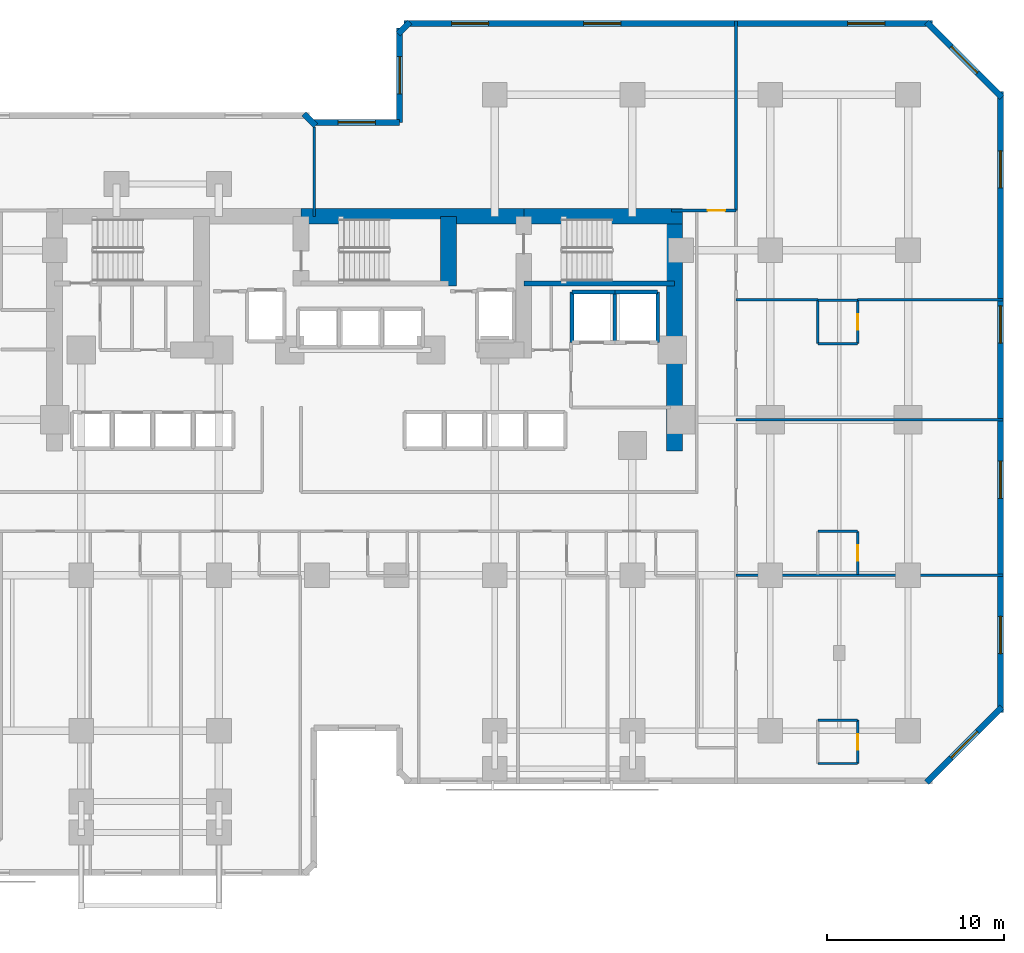
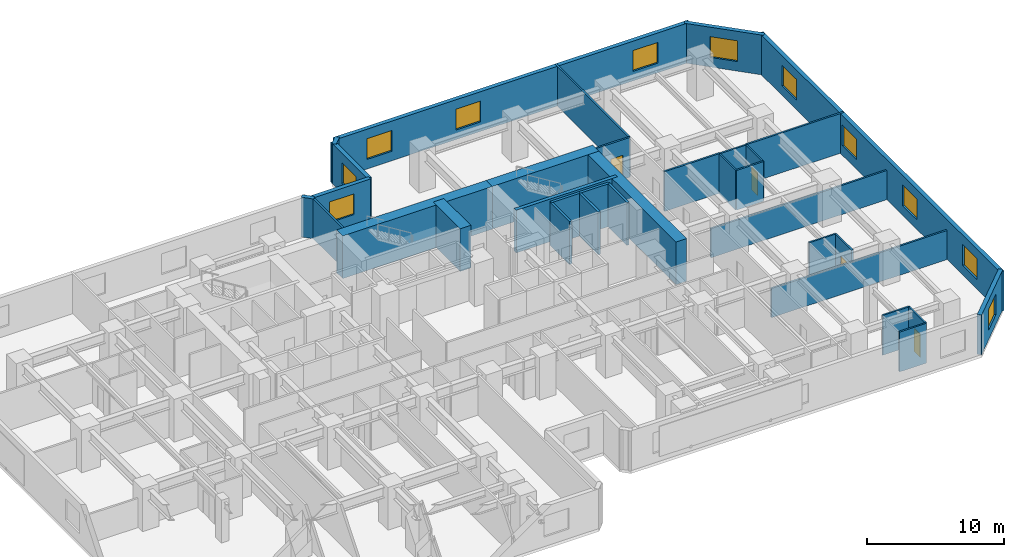
# One storey, part 9 of 12: 34 walls, 11 windows, 4 doors, 15 openings.
"""IFC4 building model written with IfcOpenShell, lengths in metres."""

from ifc_helpers import new_model, si_unit, direction, frame, frame_2d, origin, place, context, subcontext, project, spatial, rectangle, extrude, material, layer, layer_set, type_object, element, fill, save


model = new_model("IFC4")

# Units and contexts
model_context = context("Model", 3, precision=1e-05, world=origin(), true_north=direction((0.0, 1.0)))
body_context = subcontext(model_context, "Body", "Model", "MODEL_VIEW")
ifc_project = project(units=[si_unit("LENGTHUNIT", "METRE"), si_unit("AREAUNIT", "SQUARE_METRE"), si_unit("VOLUMEUNIT", "CUBIC_METRE"), si_unit("PLANEANGLEUNIT", "RADIAN"), si_unit("MASSUNIT", "GRAM", prefix="KILO")], contexts=[model_context])

# Site, building, storey
site_placement = place(None, origin())
site = spatial("IfcSite", under=ifc_project, at=site_placement, CompositionType="ELEMENT")
building_placement = place(site_placement, origin())
building = spatial("IfcBuilding", under=site, at=building_placement, Name="Kestravale Grand Hotel", CompositionType="ELEMENT")
storey_placement = place(building_placement, frame((0.0, 0.0, 26.0)))
storey = spatial("IfcBuildingStorey", under=building, at=storey_placement, Name="L05", CompositionType="ELEMENT", Elevation=26.0)

# Walls
ifc_material_1 = material(Name="Concrete f'c 70 MPa", Category="concrete")
ifc_layer_1 = layer(ifc_material_1, 0.89990234375)
ifc_layer_set_1 = layer_set([ifc_layer_1], Name="EW-CORE-900")
wall_type_1 = type_object("IfcWallType", Name="EW-CORE-900", PredefinedType="SHEAR", material=ifc_layer_set_1)
wall_1_placement = place(storey_placement, frame((35.85009765625, 40.320068359375, 0.0), z_axis=(0.0, 0.0, 1.0), x_axis=(1.0, 0.0, 0.0)))
element("IfcWall", 1, at=wall_1_placement, inside=storey, type_object=wall_type_1, Name="L05 core shear wall N2", PredefinedType="SHEAR", context=body_context, shape_type="SweptSolid", body=[
    extrude(rectangle(XDim=12.599853515625, YDim=0.89990234375, at=frame_2d((6.2998046875, 0.0))), origin(), (0.0, 0.0, 1.0), 3.800048828125),
])
wall_2_placement = place(storey_placement, frame((48.449951171875, 40.320068359375, 0.0), z_axis=(0.0, 0.0, 1.0), x_axis=(1.0, 0.0, 0.0)))
element("IfcWall", 2, at=wall_2_placement, inside=storey, type_object=wall_type_1, Name="L05 core shear wall N3", PredefinedType="SHEAR", context=body_context, shape_type="SweptSolid", body=[
    extrude(rectangle(XDim=8.969970703125, YDim=0.89990234375, at=frame_2d((4.48486328125, 0.0))), origin(), (0.0, 0.0, 1.0), 3.800048828125),
])
wall_3_placement = place(storey_placement, frame((56.969970703125, 27.050048828125, 0.0), z_axis=(0.0, 0.0, 1.0), x_axis=(0.0, 1.0, 0.0)))
element("IfcWall", 3, at=wall_3_placement, inside=storey, type_object=wall_type_1, Name="L05 core shear wall E1", PredefinedType="SHEAR", context=body_context, shape_type="SweptSolid", body=[
    extrude(rectangle(XDim=13.719970703125, YDim=0.89990234375, at=frame_2d((6.85986328125, 0.0))), origin(), (0.0, 0.0, 1.0), 3.800048828125),
])
wall_4_placement = place(storey_placement, frame((44.179931640625, 36.3701171875, 0.0), z_axis=(0.0, 0.0, 1.0), x_axis=(0.0, 1.0, 0.0)))
element("IfcWall", 4, at=wall_4_placement, inside=storey, type_object=wall_type_1, Name="L05 core shear wall X3", PredefinedType="SHEAR", context=body_context, shape_type="SweptSolid", body=[
    extrude(rectangle(XDim=3.949951171875, YDim=0.89990234375, at=frame_2d((1.97509765625, 0.0))), origin(), (0.0, 0.0, 1.0), 3.800048828125),
])

# Wall, opening, window
ifc_material_2 = material(Name="Precast concrete f'c 45 MPa", Category="concrete")
ifc_layer_2 = layer(ifc_material_2, 0.340087890625)
ifc_layer_set_2 = layer_set([ifc_layer_2], Name="EW-PREC-340")
wall_type_2 = type_object("IfcWallType", Name="EW-PREC-340", PredefinedType="SOLIDWALL", material=ifc_layer_set_2)
wall_5_placement = place(storey_placement, frame((71.25146484375, 8.2919921875, 0.0), z_axis=(0.0, 0.0, 1.0), x_axis=(0.707106781187, 0.707106781187, 0.0)))
wall_5 = element("IfcWall", 5, at=wall_5_placement, inside=storey, type_object=wall_type_2, Name="L05 fluted precast facade wall 8", PredefinedType="SOLIDWALL", context=body_context, shape_type="SweptSolid", body=[
    extrude(rectangle(XDim=6.019775390625, YDim=0.340087890625, at=frame_2d((3.009765625, 0.0))), origin(), (0.0, 0.0, 1.0), 3.5400390625),
])
opening_1_placement = place(wall_5_placement, frame((1.9599609375, 0.0, 0.85009765625)))
opening_1 = element("IfcOpeningElement", 6, at=opening_1_placement, cuts=wall_5, Name="Opening W-GUEST-2100", PredefinedType="OPENING", context=body_context, shape_type="SweptSolid", body=[
    extrude(rectangle(XDim=2.10009765625, YDim=1.85009765625, at=frame_2d((1.050048828125, 0.925048828125))), frame((0.0, 0.179931640625, 0.0), z_axis=(0.0, -1.0, 0.0), x_axis=(1.0, 0.0, 0.0)), (0.0, 0.0, 1.0), 0.360107421875),
])
ifc_material_3 = material(Name="Insulated low-E double glazing in aluminium frame", Category="aluminium")
window_type = type_object("IfcWindowType", Name="W-GUEST-2100", PartitioningType="DOUBLE_PANEL_VERTICAL", PredefinedType="WINDOW", material=ifc_material_3)
window_1_placement = place(opening_1_placement, origin())
window_1 = element("IfcWindow", 7, at=window_1_placement, inside=storey, type_object=window_type, Name="L05 exterior window 8.1", OverallHeight=1.85009765625, OverallWidth=2.10009765625, PartitioningType="SINGLE_PANEL", PredefinedType="WINDOW", context=body_context, shape_type="SweptSolid", body=[
    extrude(rectangle(XDim=2.10009765625, YDim=1.85009765625, at=frame_2d((1.050048828125, 0.925048828125))), frame((0.0, 0.030029296875, 0.0), z_axis=(0.0, -1.0, 0.0), x_axis=(1.0, 0.0, 0.0)), (0.0, 0.0, 1.0), 0.06005859375),
])
fill(opening_1, window_1)

# Wall, openings, windows
wall_6_placement = place(storey_placement, frame((75.429931640625, 12.22998046875, 0.0), z_axis=(0.0, 0.0, 1.0), x_axis=(0.0, 1.0, 0.0)))
wall_6 = element("IfcWall", 8, at=wall_6_placement, inside=storey, type_object=wall_type_2, Name="L05 fluted precast facade wall 9", PredefinedType="SOLIDWALL", context=body_context, shape_type="SweptSolid", body=[
    extrude(rectangle(XDim=35.14013671875, YDim=0.340087890625, at=frame_2d((17.570068359375, 0.0))), origin(), (0.0, 0.0, 1.0), 3.5400390625),
])
opening_2_placement = place(wall_6_placement, frame((3.342529296875, 0.0, 0.85009765625)))
opening_2 = element("IfcOpeningElement", 9, at=opening_2_placement, cuts=wall_6, Name="Opening W-GUEST-2100", PredefinedType="OPENING", context=body_context, shape_type="SweptSolid", body=[
    extrude(rectangle(XDim=2.10009765625, YDim=1.85009765625, at=frame_2d((1.050048828125, 0.925048828125))), frame((0.0, 0.179931640625, 0.0), z_axis=(0.0, -1.0, 0.0), x_axis=(1.0, 0.0, 0.0)), (0.0, 0.0, 1.0), 0.360107421875),
])
opening_3_placement = place(wall_6_placement, frame((12.12744140625, 0.0, 0.85009765625)))
opening_3 = element("IfcOpeningElement", 10, at=opening_3_placement, cuts=wall_6, Name="Opening W-GUEST-2100", PredefinedType="OPENING", context=body_context, shape_type="SweptSolid", body=[
    extrude(rectangle(XDim=2.10009765625, YDim=1.85009765625, at=frame_2d((1.050048828125, 0.925048828125))), frame((0.0, 0.179931640625, 0.0), z_axis=(0.0, -1.0, 0.0), x_axis=(1.0, 0.0, 0.0)), (0.0, 0.0, 1.0), 0.360107421875),
])
opening_4_placement = place(wall_6_placement, frame((20.91259765625, 0.0, 0.85009765625)))
opening_4 = element("IfcOpeningElement", 11, at=opening_4_placement, cuts=wall_6, Name="Opening W-GUEST-2100", PredefinedType="OPENING", context=body_context, shape_type="SweptSolid", body=[
    extrude(rectangle(XDim=2.10009765625, YDim=1.85009765625, at=frame_2d((1.050048828125, 0.925048828125))), frame((0.0, 0.179931640625, 0.0), z_axis=(0.0, -1.0, 0.0), x_axis=(1.0, 0.0, 0.0)), (0.0, 0.0, 1.0), 0.360107421875),
])
opening_5_placement = place(wall_6_placement, frame((29.697509765625, 0.0, 0.85009765625)))
opening_5 = element("IfcOpeningElement", 12, at=opening_5_placement, cuts=wall_6, Name="Opening W-GUEST-2100", PredefinedType="OPENING", context=body_context, shape_type="SweptSolid", body=[
    extrude(rectangle(XDim=2.10009765625, YDim=1.85009765625, at=frame_2d((1.050048828125, 0.925048828125))), frame((0.0, 0.179931640625, 0.0), z_axis=(0.0, -1.0, 0.0), x_axis=(1.0, 0.0, 0.0)), (0.0, 0.0, 1.0), 0.360107421875),
])
window_2_placement = place(opening_2_placement, origin())
window_2 = element("IfcWindow", 13, at=window_2_placement, inside=storey, type_object=window_type, Name="L05 exterior window 9.1", OverallHeight=1.85009765625, OverallWidth=2.10009765625, PartitioningType="SINGLE_PANEL", PredefinedType="WINDOW", context=body_context, shape_type="SweptSolid", body=[
    extrude(rectangle(XDim=2.10009765625, YDim=1.85009765625, at=frame_2d((1.050048828125, 0.925048828125))), frame((0.0, 0.030029296875, 0.0), z_axis=(0.0, -1.0, 0.0), x_axis=(1.0, 0.0, 0.0)), (0.0, 0.0, 1.0), 0.06005859375),
])
fill(opening_2, window_2)
window_3_placement = place(opening_3_placement, origin())
window_3 = element("IfcWindow", 14, at=window_3_placement, inside=storey, type_object=window_type, Name="L05 exterior window 9.2", OverallHeight=1.85009765625, OverallWidth=2.10009765625, PartitioningType="SINGLE_PANEL", PredefinedType="WINDOW", context=body_context, shape_type="SweptSolid", body=[
    extrude(rectangle(XDim=2.10009765625, YDim=1.85009765625, at=frame_2d((1.050048828125, 0.925048828125))), frame((0.0, 0.030029296875, 0.0), z_axis=(0.0, -1.0, 0.0), x_axis=(1.0, 0.0, 0.0)), (0.0, 0.0, 1.0), 0.06005859375),
])
fill(opening_3, window_3)
window_4_placement = place(opening_4_placement, origin())
window_4 = element("IfcWindow", 15, at=window_4_placement, inside=storey, type_object=window_type, Name="L05 exterior window 9.3", OverallHeight=1.85009765625, OverallWidth=2.10009765625, PartitioningType="SINGLE_PANEL", PredefinedType="WINDOW", context=body_context, shape_type="SweptSolid", body=[
    extrude(rectangle(XDim=2.10009765625, YDim=1.85009765625, at=frame_2d((1.050048828125, 0.925048828125))), frame((0.0, 0.030029296875, 0.0), z_axis=(0.0, -1.0, 0.0), x_axis=(1.0, 0.0, 0.0)), (0.0, 0.0, 1.0), 0.06005859375),
])
fill(opening_4, window_4)
window_5_placement = place(opening_5_placement, origin())
window_5 = element("IfcWindow", 16, at=window_5_placement, inside=storey, type_object=window_type, Name="L05 exterior window 9.4", OverallHeight=1.85009765625, OverallWidth=2.10009765625, PartitioningType="SINGLE_PANEL", PredefinedType="WINDOW", context=body_context, shape_type="SweptSolid", body=[
    extrude(rectangle(XDim=2.10009765625, YDim=1.85009765625, at=frame_2d((1.050048828125, 0.925048828125))), frame((0.0, 0.030029296875, 0.0), z_axis=(0.0, -1.0, 0.0), x_axis=(1.0, 0.0, 0.0)), (0.0, 0.0, 1.0), 0.06005859375),
])
fill(opening_5, window_5)

# Wall, opening, window
wall_7_placement = place(storey_placement, frame((75.508056640625, 47.051513671875, 0.0), z_axis=(0.0, 0.0, 1.0), x_axis=(-0.707106781187, 0.707106781187, 0.0)))
wall_7 = element("IfcWall", 17, at=wall_7_placement, inside=storey, type_object=wall_type_2, Name="L05 fluted precast facade wall 10", PredefinedType="SOLIDWALL", context=body_context, shape_type="SweptSolid", body=[
    extrude(rectangle(XDim=6.019775390625, YDim=0.340087890625, at=frame_2d((3.009765625, 0.0))), origin(), (0.0, 0.0, 1.0), 3.5400390625),
])
opening_6_placement = place(wall_7_placement, frame((1.9599609375, 0.0, 0.85009765625)))
opening_6 = element("IfcOpeningElement", 18, at=opening_6_placement, cuts=wall_7, Name="Opening W-GUEST-2100", PredefinedType="OPENING", context=body_context, shape_type="SweptSolid", body=[
    extrude(rectangle(XDim=2.10009765625, YDim=1.85009765625, at=frame_2d((1.050048828125, 0.925048828125))), frame((0.0, 0.179931640625, 0.0), z_axis=(0.0, -1.0, 0.0), x_axis=(1.0, 0.0, 0.0)), (0.0, 0.0, 1.0), 0.360107421875),
])
window_6_placement = place(opening_6_placement, origin())
window_6 = element("IfcWindow", 19, at=window_6_placement, inside=storey, type_object=window_type, Name="L05 exterior window 10.1", OverallHeight=1.85009765625, OverallWidth=2.10009765625, PartitioningType="SINGLE_PANEL", PredefinedType="WINDOW", context=body_context, shape_type="SweptSolid", body=[
    extrude(rectangle(XDim=2.10009765625, YDim=1.85009765625, at=frame_2d((1.050048828125, 0.925048828125))), frame((0.0, 0.030029296875, 0.0), z_axis=(0.0, -1.0, 0.0), x_axis=(1.0, 0.0, 0.0)), (0.0, 0.0, 1.0), 0.06005859375),
])
fill(opening_6, window_6)

# Wall, openings, windows
wall_8_placement = place(storey_placement, frame((71.570068359375, 51.22998046875, 0.0), z_axis=(0.0, 0.0, 1.0), x_axis=(-1.0, 0.0, 0.0)))
wall_8 = element("IfcWall", 20, at=wall_8_placement, inside=storey, type_object=wall_type_2, Name="L05 fluted precast facade wall 11", PredefinedType="SOLIDWALL", context=body_context, shape_type="SweptSolid", body=[
    extrude(rectangle(XDim=29.89013671875, YDim=0.340087890625, at=frame_2d((14.945068359375, 0.0))), origin(), (0.0, 0.0, 1.0), 3.5400390625),
])
opening_7_placement = place(wall_8_placement, frame((2.686279296875, 0.0, 0.85009765625)))
opening_7 = element("IfcOpeningElement", 21, at=opening_7_placement, cuts=wall_8, Name="Opening W-GUEST-2100", PredefinedType="OPENING", context=body_context, shape_type="SweptSolid", body=[
    extrude(rectangle(XDim=2.10009765625, YDim=1.85009765625, at=frame_2d((1.050048828125, 0.925048828125))), frame((0.0, 0.179931640625, 0.0), z_axis=(0.0, -1.0, 0.0), x_axis=(1.0, 0.0, 0.0)), (0.0, 0.0, 1.0), 0.360107421875),
])
opening_8_placement = place(wall_8_placement, frame((17.631103515625, 0.0, 0.85009765625)))
opening_8 = element("IfcOpeningElement", 22, at=opening_8_placement, cuts=wall_8, Name="Opening W-GUEST-2100", PredefinedType="OPENING", context=body_context, shape_type="SweptSolid", body=[
    extrude(rectangle(XDim=2.10009765625, YDim=1.85009765625, at=frame_2d((1.050048828125, 0.925048828125))), frame((0.0, 0.179931640625, 0.0), z_axis=(0.0, -1.0, 0.0), x_axis=(1.0, 0.0, 0.0)), (0.0, 0.0, 1.0), 0.360107421875),
])
opening_9_placement = place(wall_8_placement, frame((25.103759765625, 0.0, 0.85009765625)))
opening_9 = element("IfcOpeningElement", 23, at=opening_9_placement, cuts=wall_8, Name="Opening W-GUEST-2100", PredefinedType="OPENING", context=body_context, shape_type="SweptSolid", body=[
    extrude(rectangle(XDim=2.10009765625, YDim=1.85009765625, at=frame_2d((1.050048828125, 0.925048828125))), frame((0.0, 0.179931640625, 0.0), z_axis=(0.0, -1.0, 0.0), x_axis=(1.0, 0.0, 0.0)), (0.0, 0.0, 1.0), 0.360107421875),
])
window_7_placement = place(opening_7_placement, origin())
window_7 = element("IfcWindow", 24, at=window_7_placement, inside=storey, type_object=window_type, Name="L05 exterior window 11.1", OverallHeight=1.85009765625, OverallWidth=2.10009765625, PartitioningType="SINGLE_PANEL", PredefinedType="WINDOW", context=body_context, shape_type="SweptSolid", body=[
    extrude(rectangle(XDim=2.10009765625, YDim=1.85009765625, at=frame_2d((1.050048828125, 0.925048828125))), frame((0.0, 0.030029296875, 0.0), z_axis=(0.0, -1.0, 0.0), x_axis=(1.0, 0.0, 0.0)), (0.0, 0.0, 1.0), 0.06005859375),
])
fill(opening_7, window_7)
window_8_placement = place(opening_8_placement, origin())
window_8 = element("IfcWindow", 25, at=window_8_placement, inside=storey, type_object=window_type, Name="L05 exterior window 11.2", OverallHeight=1.85009765625, OverallWidth=2.10009765625, PartitioningType="SINGLE_PANEL", PredefinedType="WINDOW", context=body_context, shape_type="SweptSolid", body=[
    extrude(rectangle(XDim=2.10009765625, YDim=1.85009765625, at=frame_2d((1.050048828125, 0.925048828125))), frame((0.0, 0.030029296875, 0.0), z_axis=(0.0, -1.0, 0.0), x_axis=(1.0, 0.0, 0.0)), (0.0, 0.0, 1.0), 0.06005859375),
])
fill(opening_8, window_8)
window_9_placement = place(opening_9_placement, origin())
window_9 = element("IfcWindow", 26, at=window_9_placement, inside=storey, type_object=window_type, Name="L05 exterior window 11.3", OverallHeight=1.85009765625, OverallWidth=2.10009765625, PartitioningType="SINGLE_PANEL", PredefinedType="WINDOW", context=body_context, shape_type="SweptSolid", body=[
    extrude(rectangle(XDim=2.10009765625, YDim=1.85009765625, at=frame_2d((1.050048828125, 0.925048828125))), frame((0.0, 0.030029296875, 0.0), z_axis=(0.0, -1.0, 0.0), x_axis=(1.0, 0.0, 0.0)), (0.0, 0.0, 1.0), 0.06005859375),
])
fill(opening_9, window_9)

# Wall
wall_9_placement = place(storey_placement, frame((41.99853515625, 51.30810546875, 0.0), z_axis=(0.0, 0.0, 1.0), x_axis=(-0.707238225886, -0.706975312048, 0.0)))
element("IfcWall", 27, at=wall_9_placement, inside=storey, type_object=wall_type_2, Name="L05 fluted precast facade wall 12", PredefinedType="SOLIDWALL", context=body_context, shape_type="SweptSolid", body=[
    extrude(rectangle(XDim=0.9287109375, YDim=0.340087890625, at=frame_2d((0.46435546875, 0.0))), origin(), (0.0, 0.0, 1.0), 3.5400390625),
])

# Wall, opening, window
wall_10_placement = place(storey_placement, frame((41.419921875, 50.969970703125, 0.0), z_axis=(0.0, 0.0, 1.0), x_axis=(0.0, -1.0, 0.0)))
wall_10 = element("IfcWall", 28, at=wall_10_placement, inside=storey, type_object=wall_type_2, Name="L05 fluted precast facade wall 13", PredefinedType="SOLIDWALL", context=body_context, shape_type="SweptSolid", body=[
    extrude(rectangle(XDim=5.340087890625, YDim=0.340087890625, at=frame_2d((2.669921875, 0.0))), origin(), (0.0, 0.0, 1.0), 3.5400390625),
])
opening_10_placement = place(wall_10_placement, frame((1.6201171875, 0.0, 0.85009765625)))
opening_10 = element("IfcOpeningElement", 29, at=opening_10_placement, cuts=wall_10, Name="Opening W-GUEST-2100", PredefinedType="OPENING", context=body_context, shape_type="SweptSolid", body=[
    extrude(rectangle(XDim=2.10009765625, YDim=1.85009765625, at=frame_2d((1.050048828125, 0.925048828125))), frame((0.0, 0.179931640625, 0.0), z_axis=(0.0, -1.0, 0.0), x_axis=(1.0, 0.0, 0.0)), (0.0, 0.0, 1.0), 0.360107421875),
])
window_10_placement = place(opening_10_placement, origin())
window_10 = element("IfcWindow", 30, at=window_10_placement, inside=storey, type_object=window_type, Name="L05 exterior window 13.1", OverallHeight=1.85009765625, OverallWidth=2.10009765625, PartitioningType="SINGLE_PANEL", PredefinedType="WINDOW", context=body_context, shape_type="SweptSolid", body=[
    extrude(rectangle(XDim=2.10009765625, YDim=1.85009765625, at=frame_2d((1.050048828125, 0.925048828125))), frame((0.0, 0.030029296875, 0.0), z_axis=(0.0, -1.0, 0.0), x_axis=(1.0, 0.0, 0.0)), (0.0, 0.0, 1.0), 0.06005859375),
])
fill(opening_10, window_10)

wall_11_placement = place(storey_placement, frame((41.419921875, 45.6298828125, 0.0), z_axis=(0.0, 0.0, 1.0), x_axis=(-1.0, 0.0, 0.0)))
wall_11 = element("IfcWall", 31, at=wall_11_placement, inside=storey, type_object=wall_type_2, Name="L05 fluted precast facade wall 14", PredefinedType="SOLIDWALL", context=body_context, shape_type="SweptSolid", body=[
    extrude(rectangle(XDim=4.83984375, YDim=0.340087890625, at=frame_2d((2.419921875, 0.0))), origin(), (0.0, 0.0, 1.0), 3.5400390625),
])
opening_11_placement = place(wall_11_placement, frame((1.3701171875, 0.0, 0.85009765625)))
opening_11 = element("IfcOpeningElement", 32, at=opening_11_placement, cuts=wall_11, Name="Opening W-GUEST-2100", PredefinedType="OPENING", context=body_context, shape_type="SweptSolid", body=[
    extrude(rectangle(XDim=2.10009765625, YDim=1.85009765625, at=frame_2d((1.050048828125, 0.925048828125))), frame((0.0, 0.179931640625, 0.0), z_axis=(0.0, -1.0, 0.0), x_axis=(1.0, 0.0, 0.0)), (0.0, 0.0, 1.0), 0.360107421875),
])
window_11_placement = place(opening_11_placement, origin())
window_11 = element("IfcWindow", 33, at=window_11_placement, inside=storey, type_object=window_type, Name="L05 exterior window 14.1", OverallHeight=1.85009765625, OverallWidth=2.10009765625, PartitioningType="SINGLE_PANEL", PredefinedType="WINDOW", context=body_context, shape_type="SweptSolid", body=[
    extrude(rectangle(XDim=2.10009765625, YDim=1.85009765625, at=frame_2d((1.050048828125, 0.925048828125))), frame((0.0, 0.030029296875, 0.0), z_axis=(0.0, -1.0, 0.0), x_axis=(1.0, 0.0, 0.0)), (0.0, 0.0, 1.0), 0.06005859375),
])
fill(opening_11, window_11)

# Walls
wall_12_placement = place(storey_placement, frame((36.658203125, 45.451416015625, 0.0), z_axis=(0.0, 0.0, 1.0), x_axis=(-0.707106781187, 0.707106781187, 0.0)))
element("IfcWall", 34, at=wall_12_placement, inside=storey, type_object=wall_type_2, Name="L05 fluted precast facade wall 16", PredefinedType="SOLIDWALL", context=body_context, shape_type="SweptSolid", body=[
    extrude(rectangle(XDim=0.9287109375, YDim=0.340087890625, at=frame_2d((0.46435546875, 0.0))), origin(), (0.0, 0.0, 1.0), 3.5400390625),
])
ifc_material_4 = material(Name="Concrete f'c 45 MPa", Category="concrete")
ifc_layer_3 = layer(ifc_material_4, 0.300048828125)
ifc_layer_set_3 = layer_set([ifc_layer_3], Name="EW-STAIR-300")
wall_type_3 = type_object("IfcWallType", Name="EW-STAIR-300", PredefinedType="SHEAR", material=ifc_layer_set_3)
wall_13_placement = place(storey_placement, frame((48.449951171875, 36.52001953125, 0.0), z_axis=(0.0, 0.0, 1.0), x_axis=(1.0, 0.0, 0.0)))
element("IfcWall", 35, at=wall_13_placement, inside=storey, type_object=wall_type_3, Name="L05 stair enclosure shear wall SST3", PredefinedType="SHEAR", context=body_context, shape_type="SweptSolid", body=[
    extrude(rectangle(XDim=8.52001953125, YDim=0.300048828125, at=frame_2d((4.260009765625, 0.0))), origin(), (0.0, 0.0, 1.0), 3.800048828125),
])

# Wall, opening, door
ifc_material_5 = material(Name="Moisture-resistant tile-backer plumbing chase wall", Category="other")
ifc_layer_4 = layer(ifc_material_5, 0.139892578125)
ifc_layer_set_4 = layer_set([ifc_layer_4], Name="IW-PLB-140")
wall_type_4 = type_object("IfcWallType", Name="IW-PLB-140", PredefinedType="PLUMBINGWALL", material=ifc_layer_set_4)
wall_14_placement = place(storey_placement, frame((67.35009765625, 9.35009765625, 0.0), z_axis=(0.0, 0.0, 1.0), x_axis=(0.0, 1.0, 0.0)))
wall_14 = element("IfcWall", 36, at=wall_14_placement, inside=storey, type_object=wall_type_4, Name="W-L05-U10-BE", PredefinedType="PLUMBINGWALL", context=body_context, shape_type="SweptSolid", body=[
    extrude(rectangle(XDim=2.449951171875, YDim=0.139892578125, at=frame_2d((1.22509765625, 0.0))), origin(), (0.0, 0.0, 1.0), 3.5400390625),
])
opening_12_placement = place(wall_14_placement, frame((0.784912109375, 0.0, 0.0)))
opening_12 = element("IfcOpeningElement", 37, at=opening_12_placement, cuts=wall_14, Name="Opening D-BATH-880", PredefinedType="OPENING", context=body_context, shape_type="SweptSolid", body=[
    extrude(rectangle(XDim=0.8798828125, YDim=2.050048828125, at=frame_2d((0.43994140625, 1.02490234375))), frame((0.0, 0.079833984375, 0.0), z_axis=(0.0, -1.0, 0.0), x_axis=(1.0, 0.0, 0.0)), (0.0, 0.0, 1.0), 0.159912109375),
])
ifc_material_6 = material(Name="Moisture-sealed walnut en-suite bathroom door", Category="wood")
door_type_1 = type_object("IfcDoorType", Name="D-BATH-880", OperationType="NOTDEFINED", PredefinedType="DOOR", material=ifc_material_6)
door_1_placement = place(opening_12_placement, origin())
door_1 = element("IfcDoor", 38, at=door_1_placement, inside=storey, type_object=door_type_1, Name="D-L05-U10-BATH", OperationType="SINGLE_SWING_RIGHT", OverallHeight=2.050048828125, OverallWidth=0.8798828125, PredefinedType="DOOR", context=body_context, shape_type="SweptSolid", body=[
    extrude(rectangle(XDim=0.8798828125, YDim=2.050048828125, at=frame_2d((0.43994140625, 1.02490234375))), frame((0.0, 0.02490234375, 0.0), z_axis=(0.0, -1.0, 0.0), x_axis=(1.0, 0.0, 0.0)), (0.0, 0.0, 1.0), 0.050048828125),
])
fill(opening_12, door_1)

# Walls
for number, where, z_axis, x_axis, name in (
    (39, (65.10009765625, 9.35009765625, 0.0), (0.0, 0.0, 1.0), (1.0, 0.0, 0.0), "W-L05-U10-BS"),
    (40, (65.10009765625, 11.800048828125, 0.0), (0.0, 0.0, 1.0), (1.0, 0.0, 0.0), "W-L05-U10-BN"),
):
    element("IfcWall", number, at=place(storey_placement, frame(where, z_axis=z_axis, x_axis=x_axis)), inside=storey, type_object=wall_type_4, Name=name, PredefinedType="PLUMBINGWALL", context=body_context, shape_type="SweptSolid", body=[
        extrude(rectangle(XDim=2.25, YDim=0.139892578125, at=frame_2d((1.125, 0.0))), origin(), (0.0, 0.0, 1.0), 3.5400390625),
    ])

# Wall, opening, door
wall_15_placement = place(storey_placement, frame((67.35009765625, 20.0400390625, 0.0), z_axis=(0.0, 0.0, 1.0), x_axis=(0.0, 1.0, 0.0)))
wall_15 = element("IfcWall", 41, at=wall_15_placement, inside=storey, type_object=wall_type_4, Name="W-L05-U11-BE", PredefinedType="PLUMBINGWALL", context=body_context, shape_type="SweptSolid", body=[
    extrude(rectangle(XDim=2.449951171875, YDim=0.139892578125, at=frame_2d((1.22509765625, 0.0))), origin(), (0.0, 0.0, 1.0), 3.5400390625),
])
opening_13_placement = place(wall_15_placement, frame((0.784912109375, 0.0, 0.0)))
opening_13 = element("IfcOpeningElement", 42, at=opening_13_placement, cuts=wall_15, Name="Opening D-BATH-880", PredefinedType="OPENING", context=body_context, shape_type="SweptSolid", body=[
    extrude(rectangle(XDim=0.8798828125, YDim=2.050048828125, at=frame_2d((0.43994140625, 1.02490234375))), frame((0.0, 0.079833984375, 0.0), z_axis=(0.0, -1.0, 0.0), x_axis=(1.0, 0.0, 0.0)), (0.0, 0.0, 1.0), 0.159912109375),
])
door_2_placement = place(opening_13_placement, origin())
door_2 = element("IfcDoor", 43, at=door_2_placement, inside=storey, type_object=door_type_1, Name="D-L05-U11-BATH", OperationType="SINGLE_SWING_RIGHT", OverallHeight=2.050048828125, OverallWidth=0.8798828125, PredefinedType="DOOR", context=body_context, shape_type="SweptSolid", body=[
    extrude(rectangle(XDim=0.8798828125, YDim=2.050048828125, at=frame_2d((0.43994140625, 1.02490234375))), frame((0.0, 0.02490234375, 0.0), z_axis=(0.0, -1.0, 0.0), x_axis=(1.0, 0.0, 0.0)), (0.0, 0.0, 1.0), 0.050048828125),
])
fill(opening_13, door_2)

# Walls
wall_16_placement = place(storey_placement, frame((65.10009765625, 22.489990234375, 0.0), z_axis=(0.0, 0.0, 1.0), x_axis=(1.0, 0.0, 0.0)))
element("IfcWall", 44, at=wall_16_placement, inside=storey, type_object=wall_type_4, Name="W-L05-U11-BN", PredefinedType="PLUMBINGWALL", context=body_context, shape_type="SweptSolid", body=[
    extrude(rectangle(XDim=2.25, YDim=0.139892578125, at=frame_2d((1.125, 0.0))), origin(), (0.0, 0.0, 1.0), 3.5400390625),
])
wall_17_placement = place(storey_placement, frame((65.10009765625, 33.110107421875, 0.0), z_axis=(0.0, 0.0, 1.0), x_axis=(0.0, 1.0, 0.0)))
element("IfcWall", 45, at=wall_17_placement, inside=storey, type_object=wall_type_4, Name="W-L05-U12-BW", PredefinedType="PLUMBINGWALL", context=body_context, shape_type="SweptSolid", body=[
    extrude(rectangle(XDim=2.449951171875, YDim=0.139892578125, at=frame_2d((1.22509765625, 0.0))), origin(), (0.0, 0.0, 1.0), 3.5400390625),
])

# Wall, opening, door
wall_18_placement = place(storey_placement, frame((67.35009765625, 33.110107421875, 0.0), z_axis=(0.0, 0.0, 1.0), x_axis=(0.0, 1.0, 0.0)))
wall_18 = element("IfcWall", 46, at=wall_18_placement, inside=storey, type_object=wall_type_4, Name="W-L05-U12-BE", PredefinedType="PLUMBINGWALL", context=body_context, shape_type="SweptSolid", body=[
    extrude(rectangle(XDim=2.449951171875, YDim=0.139892578125, at=frame_2d((1.22509765625, 0.0))), origin(), (0.0, 0.0, 1.0), 3.5400390625),
])
opening_14_placement = place(wall_18_placement, frame((0.784912109375, 0.0, 0.0)))
opening_14 = element("IfcOpeningElement", 47, at=opening_14_placement, cuts=wall_18, Name="Opening D-BATH-880", PredefinedType="OPENING", context=body_context, shape_type="SweptSolid", body=[
    extrude(rectangle(XDim=0.8798828125, YDim=2.050048828125, at=frame_2d((0.43994140625, 1.02490234375))), frame((0.0, 0.079833984375, 0.0), z_axis=(0.0, -1.0, 0.0), x_axis=(1.0, 0.0, 0.0)), (0.0, 0.0, 1.0), 0.159912109375),
])
door_3_placement = place(opening_14_placement, origin())
door_3 = element("IfcDoor", 48, at=door_3_placement, inside=storey, type_object=door_type_1, Name="D-L05-U12-BATH", OperationType="SINGLE_SWING_RIGHT", OverallHeight=2.050048828125, OverallWidth=0.8798828125, PredefinedType="DOOR", context=body_context, shape_type="SweptSolid", body=[
    extrude(rectangle(XDim=0.8798828125, YDim=2.050048828125, at=frame_2d((0.43994140625, 1.02490234375))), frame((0.0, 0.02490234375, 0.0), z_axis=(0.0, -1.0, 0.0), x_axis=(1.0, 0.0, 0.0)), (0.0, 0.0, 1.0), 0.050048828125),
])
fill(opening_14, door_3)

# Walls
for number, where, z_axis, x_axis, name in (
    (49, (65.10009765625, 33.110107421875, 0.0), (0.0, 0.0, 1.0), (1.0, 0.0, 0.0), "W-L05-U12-BS"),
    (50, (65.10009765625, 35.56005859375, 0.0), (0.0, 0.0, 1.0), (1.0, 0.0, 0.0), "W-L05-U12-BN"),
):
    element("IfcWall", number, at=place(storey_placement, frame(where, z_axis=z_axis, x_axis=x_axis)), inside=storey, type_object=wall_type_4, Name=name, PredefinedType="PLUMBINGWALL", context=body_context, shape_type="SweptSolid", body=[
        extrude(rectangle(XDim=2.25, YDim=0.139892578125, at=frame_2d((1.125, 0.0))), origin(), (0.0, 0.0, 1.0), 3.5400390625),
    ])
ifc_material_7 = material(Name="Concrete f'c 45 MPa", Category="concrete")
ifc_layer_5 = layer(ifc_material_7, 0.199951171875)
ifc_layer_set_5 = layer_set([ifc_layer_5], Name="IW-SHAFT-200")
wall_type_5 = type_object("IfcWallType", Name="IW-SHAFT-200", PredefinedType="SHEAR", material=ifc_layer_set_5)
for number, where, z_axis, x_axis, name in (
    (51, (51.179931640625, 33.169921875, 0.0), (0.0, 0.0, 1.0), (0.0, 1.0, 0.0), "L05 SL-1 west shaft wall"),
    (52, (53.60009765625, 33.169921875, 0.0), (0.0, 0.0, 1.0), (0.0, 1.0, 0.0), "L05 SL-2 west shaft wall"),
    (53, (56.02001953125, 33.169921875, 0.0), (0.0, 0.0, 1.0), (0.0, 1.0, 0.0), "L05 SL-2 east shaft wall"),
):
    element("IfcWall", number, at=place(storey_placement, frame(where, z_axis=z_axis, x_axis=x_axis)), inside=storey, type_object=wall_type_5, Name=name, PredefinedType="SHEAR", context=body_context, shape_type="SweptSolid", body=[
        extrude(rectangle(XDim=2.860107421875, YDim=0.199951171875, at=frame_2d((1.43017578125, 0.0))), origin(), (0.0, 0.0, 1.0), 3.800048828125),
    ])
ifc_material_8 = material(Name="Concrete f'c 45 MPa", Category="concrete")
ifc_layer_6 = layer(ifc_material_8, 0.219970703125)
ifc_layer_set_6 = layer_set([ifc_layer_6], Name="IW-SHAFT-220")
wall_type_6 = type_object("IfcWallType", Name="IW-SHAFT-220", PredefinedType="SHEAR", material=ifc_layer_set_6)
wall_19_placement = place(storey_placement, frame((51.179931640625, 36.030029296875, 0.0), z_axis=(0.0, 0.0, 1.0), x_axis=(1.0, 0.0, 0.0)))
element("IfcWall", 54, at=wall_19_placement, inside=storey, type_object=wall_type_6, Name="L05 SL-1 north shaft wall", PredefinedType="SHEAR", context=body_context, shape_type="SweptSolid", body=[
    extrude(rectangle(XDim=2.420166015625, YDim=0.219970703125, at=frame_2d((1.2099609375, 0.0))), origin(), (0.0, 0.0, 1.0), 3.800048828125),
])
wall_20_placement = place(storey_placement, frame((53.60009765625, 36.030029296875, 0.0), z_axis=(0.0, 0.0, 1.0), x_axis=(1.0, 0.0, 0.0)))
element("IfcWall", 55, at=wall_20_placement, inside=storey, type_object=wall_type_6, Name="L05 SL-2 north shaft wall", PredefinedType="SHEAR", context=body_context, shape_type="SweptSolid", body=[
    extrude(rectangle(XDim=2.419921875, YDim=0.219970703125, at=frame_2d((1.2099609375, 0.0))), origin(), (0.0, 0.0, 1.0), 3.800048828125),
])

# Wall, opening, door
ifc_material_9 = material(Name="Double-stud STC 52 acoustic demising partition", Category="other")
ifc_layer_7 = layer(ifc_material_9, 0.14990234375)
ifc_layer_set_7 = layer_set([ifc_layer_7], Name="IW-UNIT-150")
wall_type_7 = type_object("IfcWallType", Name="IW-UNIT-150", PredefinedType="PARTITIONING", material=ifc_layer_set_7)
wall_21_placement = place(storey_placement, frame((56.800048828125, 40.64990234375, 0.0), z_axis=(0.0, 0.0, 1.0), x_axis=(1.0, 0.0, 0.0)))
wall_21 = element("IfcWall", 56, at=wall_21_placement, inside=storey, type_object=wall_type_7, Name="W-L05-SE-N", PredefinedType="PARTITIONING", context=body_context, shape_type="SweptSolid", body=[
    extrude(rectangle(XDim=3.659912109375, YDim=0.14990234375, at=frame_2d((1.830078125, 0.0))), origin(), (0.0, 0.0, 1.0), 3.5400390625),
])
opening_15_placement = place(wall_21_placement, frame((2.050048828125, 0.0, 0.0)))
opening_15 = element("IfcOpeningElement", 57, at=opening_15_placement, cuts=wall_21, Name="Opening D-GUEST-1000", PredefinedType="OPENING", context=body_context, shape_type="SweptSolid", body=[
    extrude(rectangle(XDim=1.0, YDim=2.14990234375, at=frame_2d((0.5, 1.074951171875))), frame((0.0, 0.0849609375, 0.0), z_axis=(0.0, -1.0, 0.0), x_axis=(1.0, 0.0, 0.0)), (0.0, 0.0, 1.0), 0.169921875),
])
ifc_material_10 = material(Name="Accessible walnut veneer hotel entrance fire door", Category="wood")
door_type_2 = type_object("IfcDoorType", Name="D-GUEST-1000", OperationType="NOTDEFINED", PredefinedType="DOOR", material=ifc_material_10)
door_4_placement = place(opening_15_placement, origin())
door_4 = element("IfcDoor", 58, at=door_4_placement, inside=storey, type_object=door_type_2, Name="L05 NE Gallery Door", OperationType="SINGLE_SWING_LEFT", OverallHeight=2.14990234375, OverallWidth=1.0, PredefinedType="DOOR", context=body_context, shape_type="SweptSolid", body=[
    extrude(rectangle(XDim=1.0, YDim=2.14990234375, at=frame_2d((0.5, 1.074951171875))), frame((0.0, 0.02490234375, 0.0), z_axis=(0.0, -1.0, 0.0), x_axis=(1.0, 0.0, 0.0)), (0.0, 0.0, 1.0), 0.050048828125),
])
fill(opening_15, door_4)

# Walls
wall_22_placement = place(storey_placement, frame((36.60009765625, 40.320068359375, 0.0), z_axis=(0.0, 0.0, 1.0), x_axis=(0.0, 1.0, 0.0)))
element("IfcWall", 59, at=wall_22_placement, inside=storey, type_object=wall_type_7, Name="W-L05-NGM", PredefinedType="PARTITIONING", context=body_context, shape_type="SweptSolid", body=[
    extrude(rectangle(XDim=5.044921875, YDim=0.14990234375, at=frame_2d((2.5224609375, 0.0))), origin(), (0.0, 0.0, 1.0), 3.5400390625),
])
wall_23_placement = place(storey_placement, frame((60.4599609375, 40.64990234375, 0.0), z_axis=(0.0, 0.0, 1.0), x_axis=(0.0, 1.0, 0.0)))
element("IfcWall", 60, at=wall_23_placement, inside=storey, type_object=wall_type_7, Name="W-L05-NGE-E", PredefinedType="PARTITIONING", context=body_context, shape_type="SweptSolid", body=[
    extrude(rectangle(XDim=10.72998046875, YDim=0.14990234375, at=frame_2d((5.364990234375, 0.0))), origin(), (0.0, 0.0, 1.0), 3.5400390625),
])
for number, where, z_axis, x_axis, name in (
    (61, (60.4599609375, 20.0, 0.0), (0.0, 0.0, 1.0), (1.0, 0.0, 0.0), "W-L05-EW-1"),
    (62, (60.4599609375, 28.800048828125, 0.0), (0.0, 0.0, 1.0), (1.0, 0.0, 0.0), "W-L05-EW-2"),
):
    element("IfcWall", number, at=place(storey_placement, frame(where, z_axis=z_axis, x_axis=x_axis)), inside=storey, type_object=wall_type_7, Name=name, PredefinedType="PARTITIONING", context=body_context, shape_type="SweptSolid", body=[
        extrude(rectangle(XDim=15.1201171875, YDim=0.14990234375, at=frame_2d((7.56005859375, 0.0))), origin(), (0.0, 0.0, 1.0), 2.593017578125),
    ])
wall_24_placement = place(storey_placement, frame((60.4599609375, 35.60009765625, 0.0), z_axis=(0.0, 0.0, 1.0), x_axis=(1.0, 0.0, 0.0)))
element("IfcWall", 63, at=wall_24_placement, inside=storey, type_object=wall_type_7, Name="W-L05-EW-3", PredefinedType="PARTITIONING", context=body_context, shape_type="SweptSolid", body=[
    extrude(rectangle(XDim=4.64013671875, YDim=0.14990234375, at=frame_2d((2.320068359375, 0.0))), origin(), (0.0, 0.0, 1.0), 3.5400390625),
])
wall_25_placement = place(storey_placement, frame((67.35009765625, 35.60009765625, 0.0), z_axis=(0.0, 0.0, 1.0), x_axis=(1.0, 0.0, 0.0)))
element("IfcWall", 64, at=wall_25_placement, inside=storey, type_object=wall_type_7, Name="W-L05-EW-3", PredefinedType="PARTITIONING", context=body_context, shape_type="SweptSolid", body=[
    extrude(rectangle(XDim=8.22998046875, YDim=0.14990234375, at=frame_2d((4.114990234375, 0.0))), origin(), (0.0, 0.0, 1.0), 3.5400390625),
])

save(model, "model.ifc")
